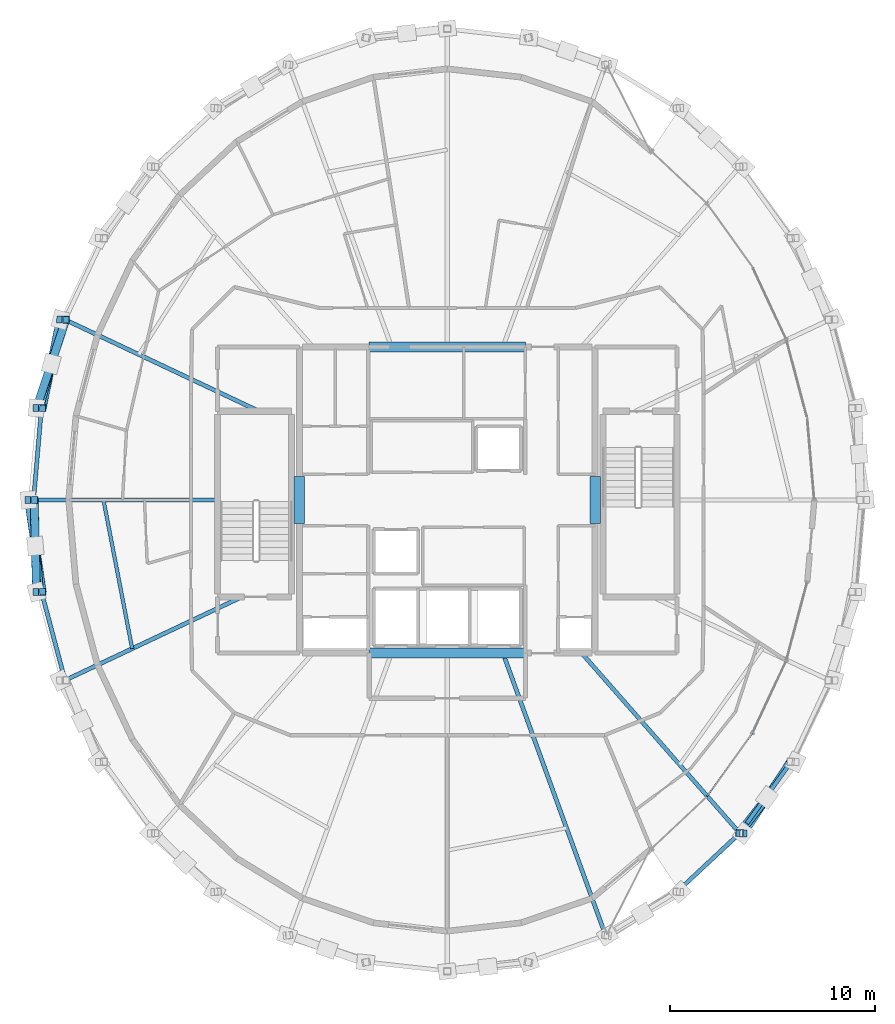
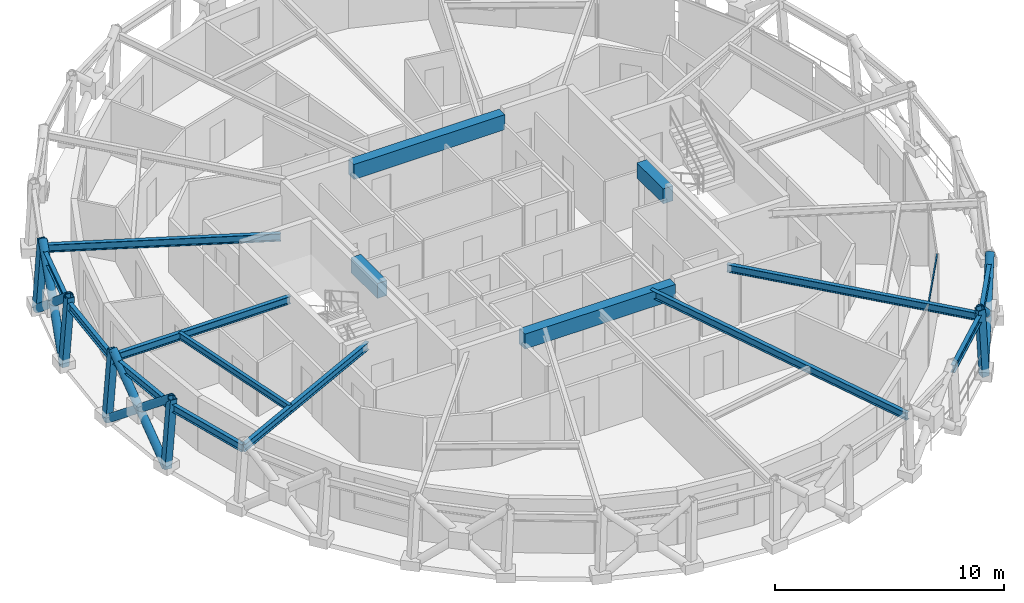
# One storey, part 3 of 16: 16 beams, 14 members, 1 element without a shape of its own.
"""IFC4 building model written with IfcOpenShell, lengths in metres."""

from ifc_helpers import new_model, si_unit, direction, frame, origin, origin_2d, place, context, subcontext, project, spatial, rectangle, hollow_rectangle, hollow_circle, i_section, extrude, material, layer, layer_set, material_profile, profile_set, type_object, element, aggregate, save


model = new_model("IFC4")

# Units and contexts
model_context = context("Model", 3, precision=1e-05, world=origin(), true_north=direction((0.0, 1.0)))
body_context = subcontext(model_context, "Body", "Model", "MODEL_VIEW")
ifc_project = project(units=[si_unit("LENGTHUNIT", "METRE"), si_unit("AREAUNIT", "SQUARE_METRE"), si_unit("VOLUMEUNIT", "CUBIC_METRE"), si_unit("PLANEANGLEUNIT", "RADIAN"), si_unit("MASSUNIT", "GRAM", prefix="KILO")], contexts=[model_context])

# Site, building, storey
site_placement = place(None, origin())
site = spatial("IfcSite", under=ifc_project, at=site_placement, CompositionType="ELEMENT")
building_placement = place(site_placement, origin())
building = spatial("IfcBuilding", under=site, at=building_placement, Name="Veldorina Hangang Commons", CompositionType="ELEMENT")
storey_placement = place(building_placement, frame((0.0, 0.0, 283.199951171875)))
storey = spatial("IfcBuildingStorey", under=building, at=storey_placement, Name="L74", CompositionType="ELEMENT", Elevation=283.199951171875)

# Beams
ifc_material_1 = material(Name="Concrete C50/60", Category="concrete")
ifc_material_profile_1 = material_profile(ifc_material_1, rectangle(XDim=0.5, YDim=0.800048828125, at=origin_2d()), Name="RC-CB-500x800")
ifc_profile_set_1 = profile_set([ifc_material_profile_1], Name="Concrete C50/60")
beam_type_1 = type_object("IfcBeamType", Name="BM-CB800", PredefinedType="LINTEL", material=ifc_profile_set_1)
for number, where, z_axis, x_axis, name in (
    (1, (24.800048828125, 22.85009765625, 2.9599609375), (0.0, 1.0, 0.0), (-1.0, 0.0, 0.0), "L74 W core coupling lintel beam"),
    (2, (39.199951171875, 22.85009765625, 2.9599609375), (0.0, 1.0, 0.0), (-1.0, 0.0, 0.0), "L74 E core coupling lintel beam"),
):
    element("IfcBeam", number, at=place(storey_placement, frame(where, z_axis=z_axis, x_axis=x_axis)), inside=storey, type_object=beam_type_1, Name=name, PredefinedType="LINTEL", context=body_context, shape_type="SweptSolid", body=[
        extrude(rectangle(XDim=0.5, YDim=0.800048828125, at=origin_2d()), origin(), (0.0, 0.0, 1.0), 2.2998046875),
    ])
for number, where, z_axis, x_axis, name in (
    (3, (28.199951171875, 16.550048828125, 2.9599609375), (1.0, 0.0, 0.0), (0.0, 1.0, 0.0), "L74 south core coupling beam"),
    (4, (28.199951171875, 31.449951171875, 2.9599609375), (1.0, 0.0, 0.0), (0.0, 1.0, 0.0), "L74 north core coupling beam"),
):
    element("IfcBeam", number, at=place(storey_placement, frame(where, z_axis=z_axis, x_axis=x_axis)), inside=storey, type_object=beam_type_1, Name=name, PredefinedType="LINTEL", context=body_context, shape_type="SweptSolid", body=[
        extrude(rectangle(XDim=0.5, YDim=0.800048828125, at=origin_2d()), origin(), (0.0, 0.0, 1.0), 7.60009765625),
    ])
ifc_material_2 = material(Name="Steel SM355-TMC", Category="steel")
ifc_material_profile_2 = material_profile(ifc_material_2, i_section(OverallWidth=0.199951171875, OverallDepth=0.39990234375, WebThickness=0.008056640625, FlangeThickness=0.012939453125, FilletRadius=0.012939453125, at=origin_2d()), Name="H-400x200x8x13")
ifc_profile_set_2 = profile_set([ifc_material_profile_2], Name="Steel SM355-TMC")
beam_type_2 = type_object("IfcBeamType", Name="BM-FG400", PredefinedType="BEAM", material=ifc_profile_set_2)
beam_1_placement = place(storey_placement, frame((22.842529296875, 28.320068359375, 3.16015625), z_axis=(-0.904413730683, 0.426656540736, 0.0), x_axis=(-0.426656540736, -0.904413730683, 0.0)))
element("IfcBeam", 5, at=beam_1_placement, inside=storey, type_object=beam_type_2, Name="L74 radial floor girder 08", PredefinedType="BEAM", context=body_context, shape_type="SweptSolid", body=[
    extrude(i_section(OverallWidth=0.199951171875, OverallDepth=0.39990234375, WebThickness=0.008056640625, FlangeThickness=0.012939453125, FilletRadius=0.012939453125, at=origin_2d()), origin(), (0.0, 0.0, 1.0), 10.44873046875),
])
beam_2_placement = place(storey_placement, frame((20.820068359375, 24.0, 3.16015625), z_axis=(-1.0, 0.0, 0.0), x_axis=(0.0, -1.0, 0.0)))
element("IfcBeam", 6, at=beam_2_placement, inside=storey, type_object=beam_type_2, Name="L74 radial floor girder 09", PredefinedType="BEAM", context=body_context, shape_type="SweptSolid", body=[
    extrude(i_section(OverallWidth=0.199951171875, OverallDepth=0.39990234375, WebThickness=0.008056640625, FlangeThickness=0.012939453125, FilletRadius=0.012939453125, at=origin_2d()), origin(), (0.0, 0.0, 1.0), 8.960693359375),
])
beam_3_placement = place(storey_placement, frame((21.99462890625, 19.280029296875, 3.16015625), z_axis=(-0.904409914249, -0.426664630603, 0.0), x_axis=(0.426664630603, -0.904409914249, 0.0)))
element("IfcBeam", 7, at=beam_3_placement, inside=storey, type_object=beam_type_2, Name="L74 radial floor girder 10", PredefinedType="BEAM", context=body_context, shape_type="SweptSolid", body=[
    extrude(i_section(OverallWidth=0.199951171875, OverallDepth=0.39990234375, WebThickness=0.008056640625, FlangeThickness=0.012939453125, FilletRadius=0.012939453125, at=origin_2d()), origin(), (0.0, 0.0, 1.0), 9.51123046875),
])
beam_4_placement = place(storey_placement, frame((34.709716796875, 16.550048828125, 3.16015625), z_axis=(0.341787301466, -0.939777335626, 0.0), x_axis=(0.939777335626, 0.341787301466, 0.0)))
element("IfcBeam", 8, at=beam_4_placement, inside=storey, type_object=beam_type_2, Name="L74 radial floor girder 14", PredefinedType="BEAM", context=body_context, shape_type="SweptSolid", body=[
    extrude(i_section(OverallWidth=0.199951171875, OverallDepth=0.39990234375, WebThickness=0.008056640625, FlangeThickness=0.012939453125, FilletRadius=0.012939453125, at=origin_2d()), origin(), (0.0, 0.0, 1.0), 14.62255859375),
])
beam_5_placement = place(storey_placement, frame((38.54150390625, 16.550048828125, 3.16015625), z_axis=(0.659795122774, -0.75144553759, 0.0), x_axis=(0.75144553759, 0.659795122774, 0.0)))
element("IfcBeam", 9, at=beam_5_placement, inside=storey, type_object=beam_type_2, Name="L74 radial floor girder 15", PredefinedType="BEAM", context=body_context, shape_type="SweptSolid", body=[
    extrude(i_section(OverallWidth=0.199951171875, OverallDepth=0.39990234375, WebThickness=0.008056640625, FlangeThickness=0.012939453125, FilletRadius=0.012939453125, at=origin_2d()), origin(), (0.0, 0.0, 1.0), 11.670166015625),
])
ifc_material_profile_3 = material_profile(ifc_material_2, i_section(OverallWidth=0.175048828125, OverallDepth=0.35009765625, WebThickness=0.007080078125, FlangeThickness=0.010986328125, FilletRadius=0.012939453125, at=origin_2d()), Name="H-350x175x7x11")
ifc_profile_set_3 = profile_set([ifc_material_profile_3], Name="Steel SM355-TMC")
beam_type_3 = type_object("IfcBeamType", Name="BM-JST350", PredefinedType="JOIST", material=ifc_profile_set_3)
beam_6_placement = place(storey_placement, frame((15.264404296875, 24.0, 3.18505859375), z_axis=(0.189556304092, -0.981869852668, 0.0), x_axis=(0.981869852668, 0.189556304092, 0.0)))
element("IfcBeam", 10, at=beam_6_placement, inside=storey, type_object=beam_type_3, Name="L74 secondary floor joist 09", PredefinedType="JOIST", context=body_context, shape_type="SweptSolid", body=[
    extrude(i_section(OverallWidth=0.175048828125, OverallDepth=0.35009765625, WebThickness=0.007080078125, FlangeThickness=0.010986328125, FilletRadius=0.012939453125, at=origin_2d()), origin(), (0.0, 0.0, 1.0), 7.36962890625),
])
ifc_material_profile_4 = material_profile(ifc_material_2, i_section(OverallWidth=0.199951171875, OverallDepth=0.39990234375, WebThickness=0.008056640625, FlangeThickness=0.012939453125, FilletRadius=0.012939453125, at=origin_2d()), Name="H-400x200x8x13")
ifc_profile_set_4 = profile_set([ifc_material_profile_4], Name="Steel SM355-TMC")
beam_type_4 = type_object("IfcBeamType", Name="BM-RB400", PredefinedType="BEAM", material=ifc_profile_set_4)
beam_7_placement = place(storey_placement, frame((13.392578125, 32.778076171875, 3.16015625), z_axis=(-0.257406712374, -0.96630315348, 0.0), x_axis=(0.96630315348, -0.257406712374, 0.0)))
element("IfcBeam", 11, at=beam_7_placement, inside=storey, type_object=beam_type_4, Name="L74 perimeter hoop ring beam 14", PredefinedType="BEAM", context=body_context, shape_type="SweptSolid", body=[
    extrude(i_section(OverallWidth=0.199951171875, OverallDepth=0.39990234375, WebThickness=0.008056640625, FlangeThickness=0.012939453125, FilletRadius=0.012939453125, at=origin_2d()), origin(), (0.0, 0.0, 1.0), 4.453125),
])
for number, where, z_axis, x_axis, name in (
    (12, (12.246337890625, 28.47509765625, 3.16015625), (-0.086148795237, -0.996282281825, 0.0), (0.996282281825, -0.086148795237, 0.0), "L74 perimeter hoop ring beam 15"),
    (13, (11.859375, 24.0, 3.16015625), (0.086148795237, -0.996282281825, 0.0), (0.996282281825, 0.086148795237, 0.0), "L74 perimeter hoop ring beam 16"),
):
    element("IfcBeam", number, at=place(storey_placement, frame(where, z_axis=z_axis, x_axis=x_axis)), inside=storey, type_object=beam_type_4, Name=name, PredefinedType="BEAM", context=body_context, shape_type="SweptSolid", body=[
        extrude(i_section(OverallWidth=0.199951171875, OverallDepth=0.39990234375, WebThickness=0.008056640625, FlangeThickness=0.012939453125, FilletRadius=0.012939453125, at=origin_2d()), origin(), (0.0, 0.0, 1.0), 4.49169921875),
    ])
beam_8_placement = place(storey_placement, frame((12.246337890625, 19.52490234375, 3.16015625), z_axis=(0.257406712374, -0.96630315348, 0.0), x_axis=(0.96630315348, 0.257406712374, 0.0)))
element("IfcBeam", 14, at=beam_8_placement, inside=storey, type_object=beam_type_4, Name="L74 perimeter hoop ring beam 17", PredefinedType="BEAM", context=body_context, shape_type="SweptSolid", body=[
    extrude(i_section(OverallWidth=0.199951171875, OverallDepth=0.39990234375, WebThickness=0.008056640625, FlangeThickness=0.012939453125, FilletRadius=0.012939453125, at=origin_2d()), origin(), (0.0, 0.0, 1.0), 4.453125),
])
beam_9_placement = place(storey_placement, frame((43.189453125, 4.927978515625, 3.16015625), z_axis=(0.730577006901, 0.682830313466, 0.0), x_axis=(-0.682830313466, 0.730577006901, 0.0)))
element("IfcBeam", 15, at=beam_9_placement, inside=storey, type_object=beam_type_4, Name="L74 perimeter hoop ring beam 27", PredefinedType="BEAM", context=body_context, shape_type="SweptSolid", body=[
    extrude(i_section(OverallWidth=0.199951171875, OverallDepth=0.39990234375, WebThickness=0.008056640625, FlangeThickness=0.012939453125, FilletRadius=0.012939453125, at=origin_2d()), origin(), (0.0, 0.0, 1.0), 4.177490234375),
])
beam_10_placement = place(storey_placement, frame((46.241455078125, 7.780517578125, 3.16015625), z_axis=(0.584618434939, 0.811308378811, 0.0), x_axis=(-0.811308378811, 0.584618434939, 0.0)))
element("IfcBeam", 16, at=beam_10_placement, inside=storey, type_object=beam_type_4, Name="L74 perimeter hoop ring beam 28", PredefinedType="BEAM", context=body_context, shape_type="SweptSolid", body=[
    extrude(i_section(OverallWidth=0.199951171875, OverallDepth=0.39990234375, WebThickness=0.008056640625, FlangeThickness=0.012939453125, FilletRadius=0.012939453125, at=origin_2d()), origin(), (0.0, 0.0, 1.0), 4.2841796875),
])

# Curtain wall, member
ifc_material_3 = material(Name="Glass Low-E Selective", Category="glass")
ifc_layer = layer(ifc_material_3, 0.179931640625)
ifc_layer_set = layer_set([ifc_layer], Name="Glass Low-E Selective")
curtain_wall_type = type_object("IfcCurtainWallType", Name="CW-SYS-Z3", PredefinedType="NOTDEFINED", material=ifc_layer_set)
curtain_wall_placement = place(storey_placement, origin())
curtain_wall = element("IfcCurtainWall", 17, at=curtain_wall_placement, inside=storey, type_object=curtain_wall_type, Name="L74 unitised curtain wall CW-L74-R2", PredefinedType="NOTDEFINED")
ifc_material_4 = material(Name="Aluminium Anodized AA6063-T6", Category="aluminium")
ifc_material_profile_5 = material_profile(ifc_material_4, hollow_rectangle(XDim=0.06005859375, YDim=0.139892578125, WallThickness=0.00341796875, at=origin_2d()), Name="ALU-RHS-140x60x3.5")
ifc_profile_set_5 = profile_set([ifc_material_profile_5], Name="Aluminium Anodized AA6063-T6")
member_type_1 = type_object("IfcMemberType", Name="CW-TRN-140", PredefinedType="USERDEFINED", material=ifc_profile_set_5)
member_1_placement = place(storey_placement, frame((44.6357421875, 9.554931640625, 3.280029296875), z_axis=(0.583212203159, 0.812319842234, 0.0), x_axis=(-0.812319842234, 0.583212203159, 0.0)))
member_1 = element("IfcMember", 18, at=member_1_placement, type_object=member_type_1, Name="CW-L74-R2 facet 2 transom 1", ObjectType="TRANSOM", PredefinedType="USERDEFINED", context=body_context, shape_type="SweptSolid", body=[
    extrude(hollow_rectangle(XDim=0.06005859375, YDim=0.139892578125, WallThickness=0.00341796875, at=origin_2d()), origin(), (0.0, 0.0, 1.0), 3.810546875),
])
aggregate(curtain_wall, [member_1])

# Members
ifc_material_profile_6 = material_profile(ifc_material_2, hollow_circle(Radius=0.199951171875, WallThickness=0.02001953125, at=origin_2d()), Name="CHS-400x20")
ifc_profile_set_6 = profile_set([ifc_material_profile_6], Name="Steel SM355-TMC")
member_type_2 = type_object("IfcMemberType", Name="DG-CHS400", PredefinedType="BRACE", material=ifc_profile_set_6)
member_2_placement = place(storey_placement, frame((13.162353515625, 32.781982421875, 0.0), z_axis=(-0.155182114243, -0.757995028125, 0.633531411026), x_axis=(0.97967998185, -0.200567029102, 0.0)))
element("IfcMember", 19, at=member_2_placement, inside=storey, type_object=member_type_2, Name="L74 continuous perimeter diagrid brace 14", PredefinedType="BRACE", context=body_context, shape_type="SweptSolid", body=[
    extrude(hollow_circle(Radius=0.199951171875, WallThickness=0.02001953125, at=origin_2d()), origin(), (0.0, 0.0, 1.0), 5.6826171875),
])
member_3_placement = place(storey_placement, frame((12.002197265625, 28.47705078125, 0.0), z_axis=(0.248334551402, 0.742473930422, 0.622143402459), x_axis=(-0.948359681958, 0.317196963472, 0.0)))
element("IfcMember", 20, at=member_3_placement, inside=storey, type_object=member_type_2, Name="L74 split perimeter diagrid lower brace 15", PredefinedType="BRACE", context=body_context, shape_type="SweptSolid", body=[
    extrude(hollow_circle(Radius=0.199951171875, WallThickness=0.02001953125, at=origin_2d()), origin(), (0.0, 0.0, 1.0), 2.895263671875),
])
member_4_placement = place(storey_placement, frame((12.72119140625, 30.626708984375, 1.80126953125), z_axis=(0.243327298273, 0.744002141787, 0.622296262991), x_axis=(-0.950459161018, 0.310849454296, 0.0)))
element("IfcMember", 21, at=member_4_placement, inside=storey, type_object=member_type_2, Name="L74 split perimeter diagrid upper brace 15", PredefinedType="BRACE", context=body_context, shape_type="SweptSolid", body=[
    extrude(hollow_circle(Radius=0.199951171875, WallThickness=0.02001953125, at=origin_2d()), origin(), (0.0, 0.0, 1.0), 2.890625),
])
member_5_placement = place(storey_placement, frame((11.6103515625, 24.0, 0.0), z_axis=(0.11590482514, -0.773881105704, 0.622634809293), x_axis=(0.988969574466, 0.148118806302, 0.0)))
element("IfcMember", 22, at=member_5_placement, inside=storey, type_object=member_type_2, Name="L74 continuous perimeter diagrid brace 16", PredefinedType="BRACE", context=body_context, shape_type="SweptSolid", body=[
    extrude(hollow_circle(Radius=0.199951171875, WallThickness=0.02001953125, at=origin_2d()), origin(), (0.0, 0.0, 1.0), 5.781982421875),
])
member_6_placement = place(storey_placement, frame((12.002197265625, 19.52294921875, 0.0), z_axis=(-0.019709793362, 0.779131529821, 0.626550543281), x_axis=(-0.999680181041, -0.025289041762, 0.0)))
element("IfcMember", 23, at=member_6_placement, inside=storey, type_object=member_type_2, Name="L74 split perimeter diagrid lower brace 17", PredefinedType="BRACE", context=body_context, shape_type="SweptSolid", body=[
    extrude(hollow_circle(Radius=0.199951171875, WallThickness=0.02001953125, at=origin_2d()), origin(), (0.0, 0.0, 1.0), 2.873779296875),
])
member_7_placement = place(storey_placement, frame((11.945556640625, 21.761962890625, 1.800537109375), z_axis=(-0.017934886845, 0.77919008392, 0.626531047079), x_axis=(-0.999735206129, -0.023011249972, 0.0)))
element("IfcMember", 24, at=member_7_placement, inside=storey, type_object=member_type_2, Name="L74 split perimeter diagrid upper brace 17", PredefinedType="BRACE", context=body_context, shape_type="SweptSolid", body=[
    extrude(hollow_circle(Radius=0.199951171875, WallThickness=0.02001953125, at=origin_2d()), origin(), (0.0, 0.0, 1.0), 2.872314453125),
])
member_8_placement = place(storey_placement, frame((46.417724609375, 7.77294921875, 0.0), z_axis=(0.417152512972, 0.632039867569, 0.653076861269), x_axis=(-0.834605642405, 0.550847911556, 0.0)))
element("IfcMember", 25, at=member_8_placement, inside=storey, type_object=member_type_2, Name="L74 continuous perimeter diagrid brace 28", PredefinedType="BRACE", context=body_context, shape_type="SweptSolid", body=[
    extrude(hollow_circle(Radius=0.199951171875, WallThickness=0.02001953125, at=origin_2d()), origin(), (0.0, 0.0, 1.0), 5.512451171875),
])
member_9_placement = place(storey_placement, frame((47.570556640625, 9.51953125, 1.8046875), z_axis=(-0.476274927809, -0.611580305027, 0.63176872639), x_axis=(0.78897611071, -0.614423873827, 0.0)))
element("IfcMember", 26, at=member_9_placement, inside=storey, type_object=member_type_2, Name="L74 split perimeter diagrid upper brace 29", PredefinedType="BRACE", context=body_context, shape_type="SweptSolid", body=[
    extrude(hollow_circle(Radius=0.199951171875, WallThickness=0.02001953125, at=origin_2d()), origin(), (0.0, 0.0, 1.0), 2.841796875),
])
ifc_material_profile_7 = material_profile(ifc_material_2, hollow_rectangle(XDim=0.35009765625, YDim=0.35009765625, WallThickness=0.01611328125, at=origin_2d()), Name="SHS-350x350x16")
ifc_profile_set_7 = profile_set([ifc_material_profile_7], Name="Steel SM355-TMC")
member_type_3 = type_object("IfcMemberType", Name="STR-SHS350", PredefinedType="STRUT", material=ifc_profile_set_7)
member_10_placement = place(storey_placement, frame((13.162353515625, 32.781982421875, 0.0), z_axis=(0.072640836823, -0.001285079981, 0.997357336863), x_axis=(0.017688107552, 0.999843553188, 0.0)))
element("IfcMember", 27, at=member_10_placement, inside=storey, type_object=member_type_3, Name="L74 perimeter ring node post 14", PredefinedType="STRUT", context=body_context, shape_type="SweptSolid", body=[
    extrude(hollow_rectangle(XDim=0.35009765625, YDim=0.35009765625, WallThickness=0.01611328125, at=origin_2d()), origin(), (0.0, 0.0, 1.0), 3.609619140625),
])
member_11_placement = place(storey_placement, frame((12.002197265625, 28.47705078125, 0.0), z_axis=(0.077079087068, -0.000676132343, 0.997024752542), x_axis=(0.008771592358, 0.999961528844, 0.0)))
element("IfcMember", 28, at=member_11_placement, inside=storey, type_object=member_type_3, Name="L74 perimeter ring node post 15", PredefinedType="STRUT", context=body_context, shape_type="SweptSolid", body=[
    extrude(hollow_rectangle(XDim=0.35009765625, YDim=0.35009765625, WallThickness=0.01611328125, at=origin_2d()), origin(), (0.0, 0.0, 1.0), 3.61083984375),
])
member_12_placement = place(storey_placement, frame((11.6103515625, 24.0, 0.0), z_axis=(0.078557502825, 0.0, 0.99690958404), x_axis=(0.0, 1.0, 0.0)))
element("IfcMember", 29, at=member_12_placement, inside=storey, type_object=member_type_3, Name="L74 perimeter ring node post 16", PredefinedType="STRUT", context=body_context, shape_type="SweptSolid", body=[
    extrude(hollow_rectangle(XDim=0.35009765625, YDim=0.35009765625, WallThickness=0.01611328125, at=origin_2d()), origin(), (0.0, 0.0, 1.0), 3.611328125),
])
member_13_placement = place(storey_placement, frame((12.002197265625, 19.52294921875, 0.0), z_axis=(0.077079087068, 0.000676132343, 0.997024752542), x_axis=(-0.008771592358, 0.999961528844, 0.0)))
element("IfcMember", 30, at=member_13_placement, inside=storey, type_object=member_type_3, Name="L74 perimeter ring node post 17", PredefinedType="STRUT", context=body_context, shape_type="SweptSolid", body=[
    extrude(hollow_rectangle(XDim=0.35009765625, YDim=0.35009765625, WallThickness=0.01611328125, at=origin_2d()), origin(), (0.0, 0.0, 1.0), 3.61083984375),
])
member_14_placement = place(storey_placement, frame((46.417724609375, 7.77294921875, 0.0), z_axis=(-0.055657366642, 0.002369839212, 0.998447114974), x_axis=(-0.042540530373, -0.999094741892, 0.0)))
element("IfcMember", 31, at=member_14_placement, inside=storey, type_object=member_type_3, Name="L74 perimeter ring node post 28", PredefinedType="STRUT", context=body_context, shape_type="SweptSolid", body=[
    extrude(hollow_rectangle(XDim=0.35009765625, YDim=0.35009765625, WallThickness=0.01611328125, at=origin_2d()), origin(), (0.0, 0.0, 1.0), 3.605712890625),
])

save(model, "model.ifc")
